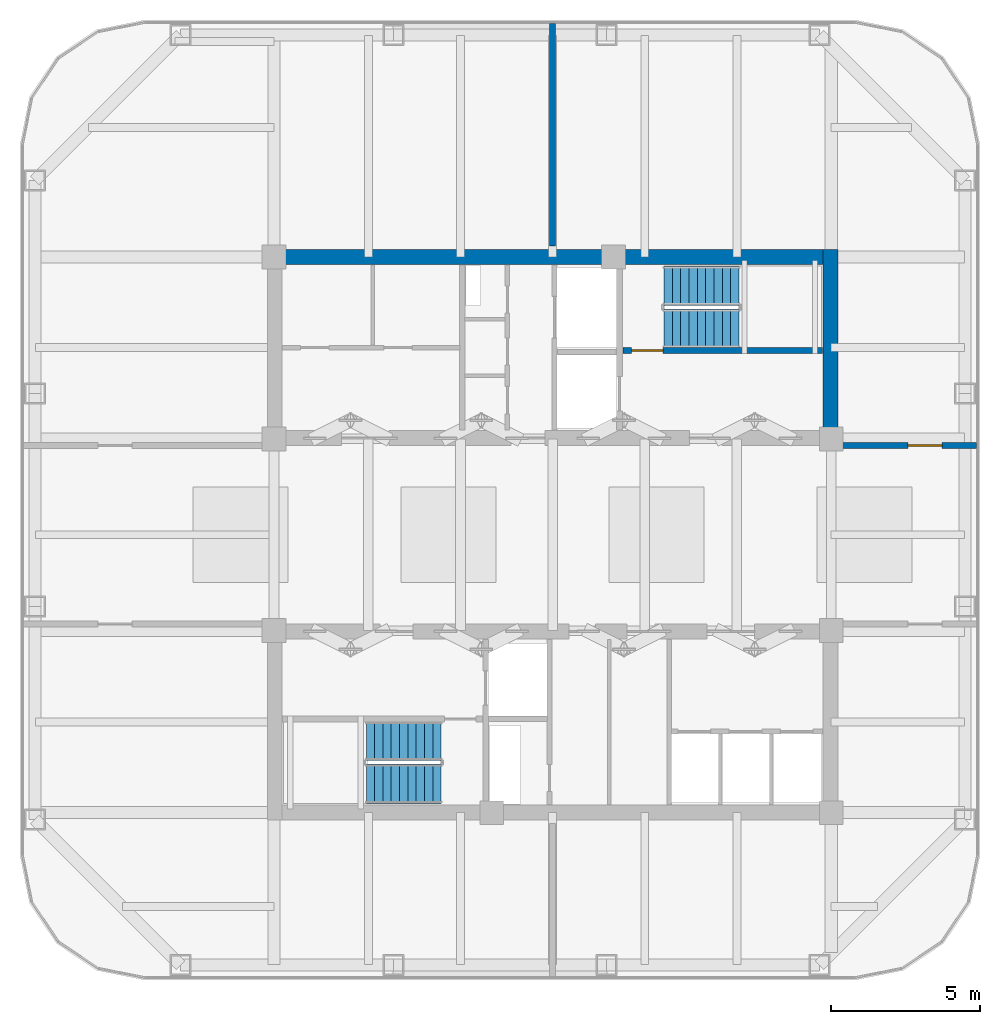
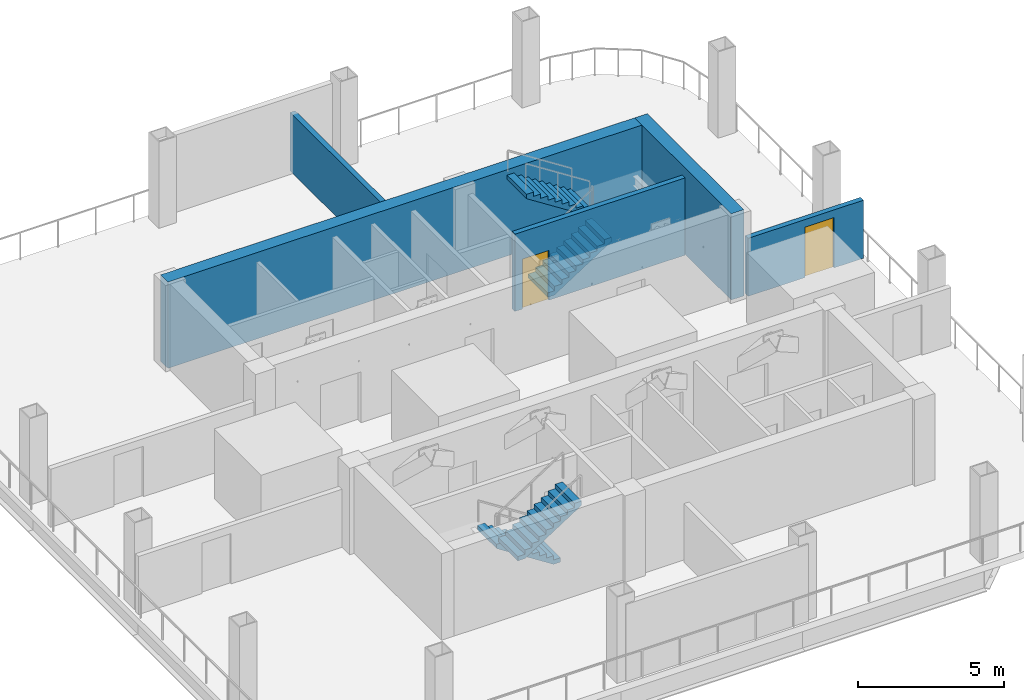
# One storey, part 4 of 9: 5 walls, 4 stair flights, 2 doors, 2 openings, 2 elements without a shape of their own.
"""IFC4 building model written with IfcOpenShell, lengths in metres."""

import ifcopenshell
import ifcopenshell.guid

model = None  # the IFC model being written
_history = None  # IfcOwnerHistory: only IFC2X3 demands one
_inside = {}  # id of a spatial element -> (the spatial element, [elements in it])
_under = {}  # id of a project, library or spatial element -> (it, [spatial elements below it])
_declared = {}  # id of a project -> (the project, [libraries it declares])
_typed = {}  # id of a type object -> (the type object, [elements of that type])
_made_of = {}  # id of a material, layer set ... -> (it, [elements and type objects made of it])


def new_model(schema):
    """Start an empty IFC model of exactly this schema.

    Asked for "IFC4X3", IfcOpenShell would pick the latest addendum, in which some entities
    have other attributes; the version numbers below select the first issue.
    IFC2X3 requires an IfcOwnerHistory on every rooted entity: one is made here for all.
    """
    global model, _history
    if schema == "IFC4X3":
        model = ifcopenshell.file(schema_version=(4, 3, 0, 0))
    else:
        model = ifcopenshell.file(schema=schema)
    _inside.clear()
    _under.clear()
    _declared.clear()
    _typed.clear()
    _made_of.clear()
    _history = None
    if model.schema == "IFC2X3":
        org = make("IfcOrganization", Name="unknown")
        user = make(
            "IfcPersonAndOrganization",
            ThePerson=make("IfcPerson", FamilyName="unknown"),
            TheOrganization=org,
        )
        app = make(
            "IfcApplication",
            ApplicationDeveloper=org,
            Version="unknown",
            ApplicationFullName="unknown",
            ApplicationIdentifier="unknown",
        )
        _history = make(
            "IfcOwnerHistory",
            OwningUser=user,
            OwningApplication=app,
            ChangeAction="ADDED",
            CreationDate=0,
        )
    return model


def make(cls, **values):
    """One entity of the class cls with the attributes given. An attribute that is None is left unset."""
    return model.create_entity(
        cls, **{name: value for name, value in values.items() if value is not None}
    )


def rooted(cls, **values):
    """An entity with a GlobalId (a new one), such as an element, a storey or a relation."""
    return make(cls, GlobalId=ifcopenshell.guid.new(), OwnerHistory=_history, **values)


def si_unit(unit_type, name, prefix=None):
    """IfcSIUnit, for example si_unit("LENGTHUNIT", "METRE", prefix="MILLI")."""
    return make("IfcSIUnit", UnitType=unit_type, Prefix=prefix, Name=name)


def assignment(units):
    """IfcUnitAssignment: the units of a project."""
    return None if units is None else make("IfcUnitAssignment", Units=units)


def point(xyz):
    """IfcCartesianPoint."""
    return None if xyz is None else make("IfcCartesianPoint", Coordinates=xyz)


def direction(xyz):
    """IfcDirection."""
    return None if xyz is None else make("IfcDirection", DirectionRatios=xyz)


def frame(location, z_axis=None, x_axis=None):
    """IfcAxis2Placement3D, a coordinate frame: its origin and axes. An axis left out is left unset."""
    return make(
        "IfcAxis2Placement3D",
        Location=point(location),
        Axis=direction(z_axis),
        RefDirection=direction(x_axis),
    )


def frame_2d(location, x_axis=None):
    """IfcAxis2Placement2D, a coordinate frame in the plane: its origin and x axis."""
    return make(
        "IfcAxis2Placement2D", Location=point(location), RefDirection=direction(x_axis)
    )


def origin():
    """The frame at (0, 0, 0) with its axes left unset."""
    return frame((0.0, 0.0, 0.0))


def place(relative_to, where):
    """IfcLocalPlacement: puts the frame where relative to a parent placement (None: the world)."""
    return make(
        "IfcLocalPlacement", PlacementRelTo=relative_to, RelativePlacement=where
    )


def context(
    kind, dimensions, precision=None, world=None, true_north=None, identifier=None
):
    """IfcGeometricRepresentationContext, for example the 3D "Model" context."""
    return make(
        "IfcGeometricRepresentationContext",
        ContextIdentifier=identifier,
        ContextType=kind,
        CoordinateSpaceDimension=dimensions,
        Precision=precision,
        WorldCoordinateSystem=world,
        TrueNorth=true_north,
    )


def subcontext(parent, identifier, kind, view, scale=None):
    """IfcGeometricRepresentationSubContext, for example "Body" below "Model"."""
    return make(
        "IfcGeometricRepresentationSubContext",
        ContextIdentifier=identifier,
        ContextType=kind,
        ParentContext=parent,
        TargetScale=scale,
        TargetView=view,
    )


def project(units=None, contexts=None):
    """IfcProject with its units and contexts."""
    return rooted(
        "IfcProject",
        Name="project",
        RepresentationContexts=contexts,
        UnitsInContext=assignment(units),
    )


def spatial(cls, under=None, at=None, **own):
    """A site, building, storey or space (cls), placed at a placement, below another one or the project."""
    s = rooted(cls, ObjectPlacement=at, **own)
    if under is not None:
        _under.setdefault(under.id(), (under, []))[1].append(s)
    return s


def polyline(points):
    """IfcPolyline through the points."""
    return make("IfcPolyline", Points=[point(p) for p in points])


def profile(cls, at=None, kind="AREA", **sizes):
    """A parametric profile (cls). Its sizes go by their IFC names, for example OverallWidth=200.0."""
    return make(cls, ProfileType=kind, Position=at, **sizes)


def rectangle(**sizes):
    """IfcRectangleProfileDef."""
    return profile("IfcRectangleProfileDef", **sizes)


def outline(outer, holes=None, kind="AREA"):
    """IfcArbitraryClosedProfileDef: a profile drawn as a closed curve; with holes, ...WithVoids."""
    if holes is None:
        return make("IfcArbitraryClosedProfileDef", ProfileType=kind, OuterCurve=outer)
    return make(
        "IfcArbitraryProfileDefWithVoids",
        ProfileType=kind,
        OuterCurve=outer,
        InnerCurves=holes,
    )


def extrude(swept, where, along, depth):
    """IfcExtrudedAreaSolid: the profile swept, set in the frame where, extruded along a direction by depth."""
    return make(
        "IfcExtrudedAreaSolid",
        SweptArea=swept,
        Position=where,
        ExtrudedDirection=direction(along),
        Depth=depth,
    )


def shape(context_of_items, identifier, shape_type, items):
    """IfcShapeRepresentation: the items that make up one representation, for example the "Body"."""
    return make(
        "IfcShapeRepresentation",
        ContextOfItems=context_of_items,
        RepresentationIdentifier=identifier,
        RepresentationType=shape_type,
        Items=items,
    )


def material(Name=None, Category=None):
    """IfcMaterial."""
    return make("IfcMaterial", Name=Name, Category=Category)


def layer(
    of_material, thickness, ventilated=None, Name=None, Category=None, Priority=None
):
    """IfcMaterialLayer: one layer of a wall or slab, of a material (None: an air gap)."""
    return make(
        "IfcMaterialLayer",
        Material=of_material,
        LayerThickness=thickness,
        IsVentilated=ventilated,
        Name=Name,
        Category=Category,
        Priority=Priority,
    )


def layer_set(layers, Name=None):
    """IfcMaterialLayerSet."""
    return make("IfcMaterialLayerSet", MaterialLayers=layers, LayerSetName=Name)


def made_of(thing, what):
    """Note that an element or type object is made of a material, layer set ...; save() writes the relation."""
    if what is not None:
        _made_of.setdefault(what.id(), (what, []))[1].append(thing)
    return thing


def type_object(cls, material=None, **own):
    """A type object (cls), such as IfcWallType, which elements share."""
    return made_of(rooted(cls, **own), material)


def element(
    cls,
    number,
    at=None,
    inside=None,
    cuts=None,
    type_object=None,
    material=None,
    context=None,
    identifier="Body",
    shape_type=None,
    held_by="IfcProductDefinitionShape",
    body=None,
    shapes=None,
    **own,
):
    """One element of the class cls, such as IfcWall. Its Tag is "e" and its number.

    at: its placement. inside: the storey or other place that contains it. cuts: it is an
    opening in that element (IfcRelVoidsElement). A single representation is given by context,
    identifier, shape_type and body (its items); several are given by shapes. held_by: the class
    of the entity that holds the representations. save() writes the other relations.
    """
    e = rooted(cls, Tag="e%d" % number, ObjectPlacement=at, **own)
    if body is not None:
        shapes = [shape(context, identifier, shape_type, body)]
    if shapes is not None:
        e.Representation = make(held_by, Representations=shapes)
    if inside is not None:
        _inside.setdefault(inside.id(), (inside, []))[1].append(e)
    if cuts is not None:
        rooted(
            "IfcRelVoidsElement", RelatingBuildingElement=cuts, RelatedOpeningElement=e
        )
    if type_object is not None:
        _typed.setdefault(type_object.id(), (type_object, []))[1].append(e)
    return made_of(e, material)


def fill(opening, filler):
    """IfcRelFillsElement: the door or window that sits in an opening."""
    return rooted(
        "IfcRelFillsElement",
        RelatingOpeningElement=opening,
        RelatedBuildingElement=filler,
    )


def aggregate(whole, parts):
    """IfcRelAggregates: a whole, such as a stair, and the parts it consists of."""
    return rooted("IfcRelAggregates", RelatingObject=whole, RelatedObjects=parts)


def save(model, path):
    """Write the relations noted so far, then the file.

    IfcRelAggregates (storeys below a building ...), IfcRelContainedInSpatialStructure (elements
    in a storey), IfcRelDefinesByType, IfcRelAssociatesMaterial and IfcRelDeclares: one each for
    every whole, place, type object, material and project.
    """
    for whole, parts in _under.values():
        aggregate(whole, parts)
    for where, things in _inside.values():
        rooted(
            "IfcRelContainedInSpatialStructure",
            RelatedElements=things,
            RelatingStructure=where,
        )
    for kind, things in _typed.values():
        rooted("IfcRelDefinesByType", RelatedObjects=things, RelatingType=kind)
    for what, things in _made_of.values():
        rooted("IfcRelAssociatesMaterial", RelatedObjects=things, RelatingMaterial=what)
    for by, libraries in _declared.values():
        rooted("IfcRelDeclares", RelatingContext=by, RelatedDefinitions=libraries)
    model.write(path)


model = new_model("IFC4")

# Units and contexts
model_context = context("Model", 3, precision=1e-05, world=origin(), true_north=direction((0.0, 1.0)))
body_context = subcontext(model_context, "Body", "Model", "MODEL_VIEW")
ifc_project = project(units=[si_unit("LENGTHUNIT", "METRE"), si_unit("AREAUNIT", "SQUARE_METRE"), si_unit("VOLUMEUNIT", "CUBIC_METRE"), si_unit("PLANEANGLEUNIT", "RADIAN"), si_unit("MASSUNIT", "GRAM", prefix="KILO")], contexts=[model_context])

# Site, building, storey
site_placement = place(None, origin())
site = spatial("IfcSite", under=ifc_project, at=site_placement, CompositionType="ELEMENT")
building_placement = place(site_placement, origin())
building = spatial("IfcBuilding", under=site, at=building_placement, Name="Qhalaya Broadcast Tower", CompositionType="ELEMENT")
storey_placement = place(building_placement, frame((0.0, 0.0, 191.550048828125)))
storey = spatial("IfcBuildingStorey", under=building, at=storey_placement, Name="L56", CompositionType="ELEMENT", Elevation=191.550048828125)

# Wall, opening, door
ifc_material_1 = material(Name="Gypsum Acoustic Partition")
ifc_layer_1 = layer(ifc_material_1, 0.199951171875, Name="Gypsum Acoustic Partition")
ifc_layer_set_1 = layer_set([ifc_layer_1], Name="Gypsum Acoustic Partition")
wall_type_1 = type_object("IfcWallType", Name="Firefighting Lobby & Stair Enclosure Wall 200", PredefinedType="PARTITIONING", material=ifc_layer_set_1)
wall_1_placement = place(storey_placement, frame((9.7099609375, 3.60009765625, 0.0), z_axis=(0.0, 0.0, 1.0), x_axis=(1.0, 0.0, 0.0)))
wall_1 = element("IfcWall", 1, at=wall_1_placement, inside=storey, type_object=wall_type_1, Name="L56 Partition Wall W-PL56NE", PredefinedType="PARTITIONING", context=body_context, shape_type="SweptSolid", body=[
    extrude(rectangle(XDim=4.550048828125, YDim=0.199951171875, at=frame_2d((2.27490234375, 0.0))), origin(), (0.0, 0.0, 1.0), 2.419921875),
])
opening_1_placement = place(wall_1_placement, frame((2.24609375, 0.0, 0.0)))
opening_1 = element("IfcOpeningElement", 2, at=opening_1_placement, cuts=wall_1, Name="Opening D05", PredefinedType="OPENING", context=body_context, shape_type="SweptSolid", body=[
    extrude(rectangle(XDim=1.14990234375, YDim=2.10009765625, at=frame_2d((0.574951171875, 1.050048828125))), frame((0.0, 0.112060546875, 0.0), z_axis=(0.0, -1.0, 0.0), x_axis=(1.0, 0.0, 0.0)), (0.0, 0.0, 1.0), 0.223876953125),
])
ifc_material_2 = material(Name="Fire-Rated Steel Door", Category="steel")
door_type_1 = type_object("IfcDoorType", Name="Refuge & Plant Room Fire Door D05", OperationType="NOTDEFINED", PredefinedType="DOOR", material=ifc_material_2)
door_1_placement = place(opening_1_placement, origin())
door_1 = element("IfcDoor", 3, at=door_1_placement, inside=storey, type_object=door_type_1, Name="L56 Door D-PL56NE", OperationType="SINGLE_SWING_LEFT", OverallHeight=2.10009765625, OverallWidth=1.14990234375, PredefinedType="DOOR", context=body_context, shape_type="SweptSolid", body=[
    extrude(rectangle(XDim=1.14990234375, YDim=2.10009765625, at=frame_2d((0.574951171875, 1.050048828125))), frame((0.0, 0.02490234375, 0.0), z_axis=(0.0, -1.0, 0.0), x_axis=(1.0, 0.0, 0.0)), (0.0, 0.0, 1.0), 0.050048828125),
])
fill(opening_1, door_1)

# Wall
wall_2_placement = place(storey_placement, frame((0.0, 10.31005859375, 0.0), z_axis=(0.0, 0.0, 1.0), x_axis=(0.0, 1.0, 0.0)))
element("IfcWall", 4, at=wall_2_placement, inside=storey, type_object=wall_type_1, Name="L56 Partition Wall W-PL56MN", PredefinedType="PARTITIONING", context=body_context, shape_type="SweptSolid", body=[
    extrude(rectangle(XDim=7.489990234375, YDim=0.199951171875, at=frame_2d((3.7451171875, 0.0))), origin(), (0.0, 0.0, 1.0), 2.43798828125),
])

# Wall, opening, door
ifc_material_3 = material(Name="Concrete C50/60", Category="concrete")
ifc_layer_2 = layer(ifc_material_3, 0.199951171875, Name="Concrete C50/60")
ifc_layer_set_2 = layer_set([ifc_layer_2], Name="Concrete C50/60")
wall_type_2 = type_object("IfcWallType", Name="Load-Bearing Stair Shaft Wall 200", PredefinedType="SHEAR", material=ifc_layer_set_2)
wall_3_placement = place(storey_placement, frame((2.360107421875, 6.804931640625, 0.0), z_axis=(0.0, 0.0, 1.0), x_axis=(1.0, 0.0, 0.0)))
wall_3 = element("IfcWall", 5, at=wall_3_placement, inside=storey, type_object=wall_type_2, Name="L56 Stair Core Shear Wall NCW-ST1", PredefinedType="SHEAR", context=body_context, shape_type="SweptSolid", body=[
    extrude(rectangle(XDim=6.719970703125, YDim=0.199951171875, at=frame_2d((3.35986328125, 0.0))), origin(), (0.0, 0.0, 1.0), 3.219970703125),
])
opening_2_placement = place(wall_3_placement, frame((0.300048828125, 0.0, 0.0)))
opening_2 = element("IfcOpeningElement", 6, at=opening_2_placement, cuts=wall_3, Name="Opening D03", PredefinedType="OPENING", context=body_context, shape_type="SweptSolid", body=[
    extrude(rectangle(XDim=1.050048828125, YDim=2.080078125, at=frame_2d((0.52490234375, 1.0400390625))), frame((0.0, 0.112060546875, 0.0), z_axis=(0.0, -1.0, 0.0), x_axis=(1.0, 0.0, 0.0)), (0.0, 0.0, 1.0), 0.223876953125),
])
door_type_2 = type_object("IfcDoorType", Name="Core Stair Protected Fire Door D03", OperationType="NOTDEFINED", PredefinedType="DOOR", material=ifc_material_2)
door_2_placement = place(opening_2_placement, origin())
door_2 = element("IfcDoor", 7, at=door_2_placement, inside=storey, type_object=door_type_2, Name="L56 Door D-NST1", OperationType="SINGLE_SWING_LEFT", OverallHeight=2.080078125, OverallWidth=1.050048828125, PredefinedType="DOOR", context=body_context, shape_type="SweptSolid", body=[
    extrude(rectangle(XDim=1.050048828125, YDim=2.080078125, at=frame_2d((0.52490234375, 1.0400390625))), frame((0.0, 0.02490234375, 0.0), z_axis=(0.0, -1.0, 0.0), x_axis=(1.0, 0.0, 0.0)), (0.0, 0.0, 1.0), 0.050048828125),
])
fill(opening_2, door_2)

# Walls
ifc_layer_3 = layer(ifc_material_3, 0.5, Name="Concrete C50/60")
ifc_layer_set_3 = layer_set([ifc_layer_3], Name="Concrete C50/60")
wall_type_3 = type_object("IfcWallType", Name="Mid Split-Core Shear Wall 500", PredefinedType="SHEAR", material=ifc_layer_set_3)
wall_4_placement = place(storey_placement, frame((-9.60009765625, 9.949951171875, 0.0), z_axis=(0.0, 0.0, 1.0), x_axis=(1.0, 0.0, 0.0)))
element("IfcWall", 8, at=wall_4_placement, inside=storey, type_object=wall_type_3, Name="L56 Split-Core Shear Wall CW-NN", PredefinedType="SHEAR", context=body_context, shape_type="SweptSolid", body=[
    extrude(rectangle(XDim=19.2001953125, YDim=0.5, at=frame_2d((9.60009765625, 0.0))), origin(), (0.0, 0.0, 1.0), 3.599853515625),
])
wall_5_placement = place(storey_placement, frame((9.35009765625, 3.60009765625, 0.0), z_axis=(0.0, 0.0, 1.0), x_axis=(0.0, 1.0, 0.0)))
element("IfcWall", 9, at=wall_5_placement, inside=storey, type_object=wall_type_3, Name="L56 Split-Core Shear Wall CW-NE", PredefinedType="SHEAR", context=body_context, shape_type="SweptSolid", body=[
    extrude(rectangle(XDim=6.599853515625, YDim=0.5, at=frame_2d((3.2998046875, 0.0))), origin(), (0.0, 0.0, 1.0), 3.599853515625),
])

# Stair, stair flights
ifc_material_4 = material(Name="Concrete C40/50", Category="concrete")
stair_type = type_object("IfcStairType", Name="Protected Dogleg Core Stair 3600", PredefinedType="TWO_STRAIGHT_RUN_STAIR", material=ifc_material_4)
stair_1_placement = place(storey_placement, origin())
stair_1 = element("IfcStair", 10, at=stair_1_placement, inside=storey, type_object=stair_type, Name="L56 North Core Exit Stair ST-1", PredefinedType="TWO_STRAIGHT_RUN_STAIR")
ifc_material_5 = material(Name="Precast Concrete C40/50", Category="concrete")
stair_flight_type = type_object("IfcStairFlightType", Name="Precast Concrete Stair Flight 3600", PredefinedType="STRAIGHT", material=ifc_material_5)
stair_flight_1_placement = place(storey_placement, frame((3.75, 7.5400390625, 0.0), z_axis=(0.0, 0.0, 1.0), x_axis=(1.0, 0.0, 0.0)))
stair_flight_1 = element("IfcStairFlight", 11, at=stair_flight_1_placement, type_object=stair_flight_type, Name="ST-1 flight 1", NumberOfRisers=10, NumberOfTreads=9, PredefinedType="STRAIGHT", RiserHeight=0.18, TreadLength=0.28, context=body_context, shape_type="SweptSolid", body=[
    extrude(outline(polyline([(0.0, 0.0), (0.0, 0.179931640625), (0.280029296875, 0.179931640625), (0.280029296875, 0.360107421875), (0.56005859375, 0.360107421875), (0.56005859375, 0.5400390625), (0.840087890625, 0.5400390625), (0.840087890625, 0.719970703125), (1.1201171875, 0.719970703125), (1.1201171875, 0.89990234375), (1.39990234375, 0.89990234375), (1.39990234375, 1.080078125), (1.679931640625, 1.080078125), (1.679931640625, 1.260009765625), (1.9599609375, 1.260009765625), (1.9599609375, 1.43994140625), (2.239990234375, 1.43994140625), (2.239990234375, 1.6201171875), (2.52001953125, 1.6201171875), (2.52001953125, 1.800048828125), (2.52001953125, 1.44189453125), (0.277099609375, 0.0), (0.0, 0.0)])), frame((0.0, 0.66015625, 0.0), z_axis=(0.0, -1.0, 0.0), x_axis=(1.0, 0.0, 0.0)), (0.0, 0.0, 1.0), 1.320068359375),
])
stair_flight_2_placement = place(storey_placement, frame((6.27001953125, 8.97998046875, 1.800048828125), z_axis=(0.0, 0.0, 1.0), x_axis=(-1.0, 0.0, 0.0)))
stair_flight_2 = element("IfcStairFlight", 12, at=stair_flight_2_placement, type_object=stair_flight_type, Name="ST-1 flight 2", NumberOfRisers=10, NumberOfTreads=9, PredefinedType="STRAIGHT", RiserHeight=0.18, TreadLength=0.28, context=body_context, shape_type="SweptSolid", body=[
    extrude(outline(polyline([(0.0, 0.0), (0.0, 0.179931640625), (0.280029296875, 0.179931640625), (0.280029296875, 0.360107421875), (0.56005859375, 0.360107421875), (0.56005859375, 0.5400390625), (0.840087890625, 0.5400390625), (0.840087890625, 0.719970703125), (1.1201171875, 0.719970703125), (1.1201171875, 0.89990234375), (1.39990234375, 0.89990234375), (1.39990234375, 1.080078125), (1.679931640625, 1.080078125), (1.679931640625, 1.260009765625), (1.9599609375, 1.260009765625), (1.9599609375, 1.43994140625), (2.239990234375, 1.43994140625), (2.239990234375, 1.6201171875), (2.52001953125, 1.6201171875), (2.52001953125, 1.800048828125), (2.52001953125, 1.44189453125), (0.277099609375, 0.0), (0.0, 0.0)])), frame((0.0, 0.66015625, 0.0), z_axis=(0.0, -1.0, 0.0), x_axis=(1.0, 0.0, 0.0)), (0.0, 0.0, 1.0), 1.320068359375),
])
aggregate(stair_1, [stair_flight_1, stair_flight_2])

stair_2_placement = place(storey_placement, origin())
stair_2 = element("IfcStair", 13, at=stair_2_placement, inside=storey, type_object=stair_type, Name="L56 South Core Exit Stair ST-2", PredefinedType="TWO_STRAIGHT_RUN_STAIR")
stair_flight_3_placement = place(storey_placement, frame((-3.75, -6.340087890625, 0.0), z_axis=(0.0, 0.0, 1.0), x_axis=(-1.0, 0.0, 0.0)))
stair_flight_3 = element("IfcStairFlight", 14, at=stair_flight_3_placement, type_object=stair_flight_type, Name="ST-2 flight 1", NumberOfRisers=10, NumberOfTreads=9, PredefinedType="STRAIGHT", RiserHeight=0.18, TreadLength=0.28, context=body_context, shape_type="SweptSolid", body=[
    extrude(outline(polyline([(0.0, 0.0), (0.0, 0.179931640625), (0.280029296875, 0.179931640625), (0.280029296875, 0.360107421875), (0.56005859375, 0.360107421875), (0.56005859375, 0.5400390625), (0.840087890625, 0.5400390625), (0.840087890625, 0.719970703125), (1.1201171875, 0.719970703125), (1.1201171875, 0.89990234375), (1.39990234375, 0.89990234375), (1.39990234375, 1.080078125), (1.679931640625, 1.080078125), (1.679931640625, 1.260009765625), (1.9599609375, 1.260009765625), (1.9599609375, 1.43994140625), (2.239990234375, 1.43994140625), (2.239990234375, 1.6201171875), (2.52001953125, 1.6201171875), (2.52001953125, 1.800048828125), (2.52001953125, 1.44189453125), (0.277099609375, 0.0), (0.0, 0.0)])), frame((0.0, 0.66015625, 0.0), z_axis=(0.0, -1.0, 0.0), x_axis=(1.0, 0.0, 0.0)), (0.0, 0.0, 1.0), 1.320068359375),
])
stair_flight_4_placement = place(storey_placement, frame((-6.27001953125, -7.780029296875, 1.800048828125), z_axis=(0.0, 0.0, 1.0), x_axis=(1.0, 0.0, 0.0)))
stair_flight_4 = element("IfcStairFlight", 15, at=stair_flight_4_placement, type_object=stair_flight_type, Name="ST-2 flight 2", NumberOfRisers=10, NumberOfTreads=9, PredefinedType="STRAIGHT", RiserHeight=0.18, TreadLength=0.28, context=body_context, shape_type="SweptSolid", body=[
    extrude(outline(polyline([(0.0, 0.0), (0.0, 0.179931640625), (0.280029296875, 0.179931640625), (0.280029296875, 0.360107421875), (0.56005859375, 0.360107421875), (0.56005859375, 0.5400390625), (0.840087890625, 0.5400390625), (0.840087890625, 0.719970703125), (1.1201171875, 0.719970703125), (1.1201171875, 0.89990234375), (1.39990234375, 0.89990234375), (1.39990234375, 1.080078125), (1.679931640625, 1.080078125), (1.679931640625, 1.260009765625), (1.9599609375, 1.260009765625), (1.9599609375, 1.43994140625), (2.239990234375, 1.43994140625), (2.239990234375, 1.6201171875), (2.52001953125, 1.6201171875), (2.52001953125, 1.800048828125), (2.52001953125, 1.44189453125), (0.277099609375, 0.0), (0.0, 0.0)])), frame((0.0, 0.66015625, 0.0), z_axis=(0.0, -1.0, 0.0), x_axis=(1.0, 0.0, 0.0)), (0.0, 0.0, 1.0), 1.320068359375),
])
aggregate(stair_2, [stair_flight_3, stair_flight_4])

save(model, "model.ifc")
